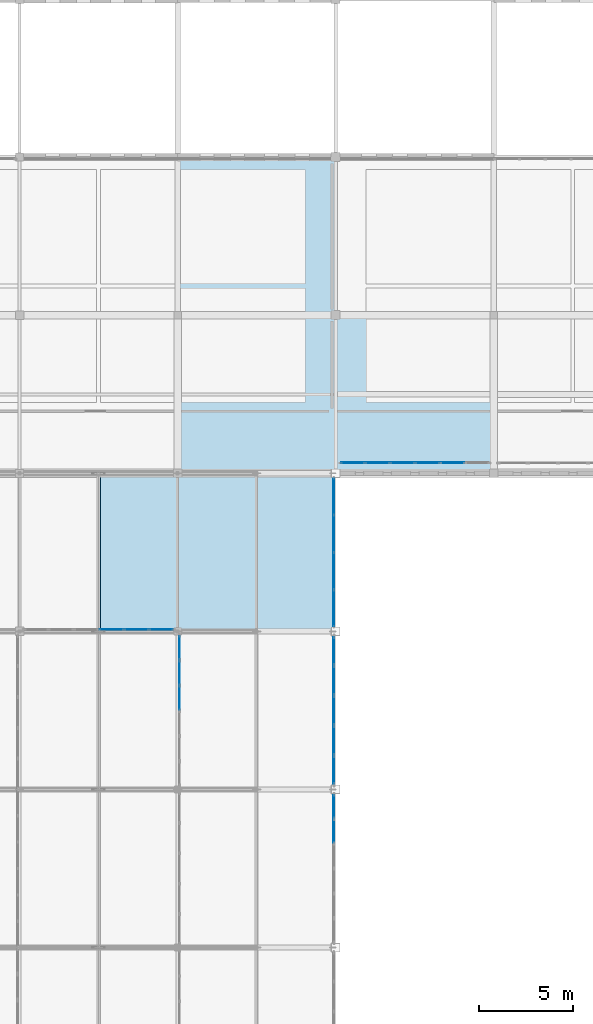
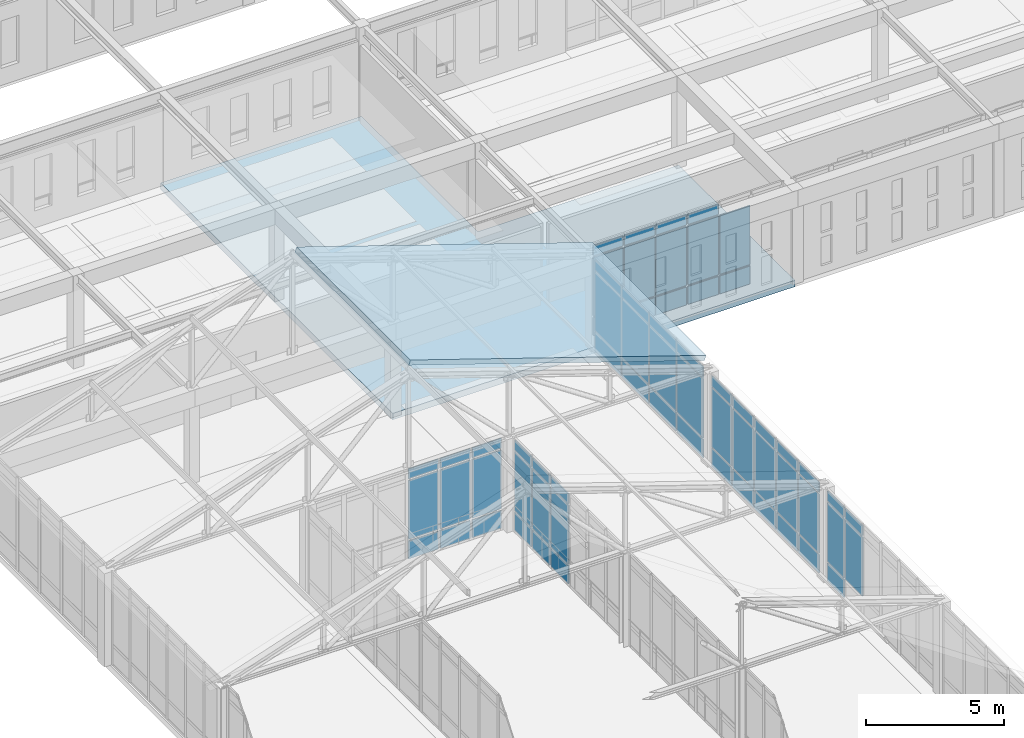
# One storey, part 124 of 192: 64 plates, 2 slabs, 6 elements without a shape of their own.
"""IFC4 building model written with IfcOpenShell, lengths in metres."""

from ifc_helpers import new_model, si_unit, direction, frame, origin, origin_2d, place, context, subcontext, project, spatial, polyline, rectangle, outline, extrude, material, layer, layer_set, type_object, element, aggregate, save


model = new_model("IFC4")

# Units and contexts
model_context = context("Model", 3, precision=1e-05, world=origin(), true_north=direction((0.0, 1.0)))
body_context = subcontext(model_context, "Body", "Model", "MODEL_VIEW")
ifc_project = project(units=[si_unit("LENGTHUNIT", "METRE"), si_unit("AREAUNIT", "SQUARE_METRE"), si_unit("VOLUMEUNIT", "CUBIC_METRE"), si_unit("PLANEANGLEUNIT", "RADIAN"), si_unit("MASSUNIT", "GRAM", prefix="KILO")], contexts=[model_context])

# Site, building, storey
site_placement = place(None, origin())
site = spatial("IfcSite", under=ifc_project, at=site_placement, CompositionType="ELEMENT")
building_placement = place(site_placement, origin())
building = spatial("IfcBuilding", under=site, at=building_placement, Name="Kveldsbrygga Polytechnic", CompositionType="ELEMENT")
storey_placement = place(building_placement, frame((0.0, 0.0, 5.43994140625)))
storey = spatial("IfcBuildingStorey", under=building, at=storey_placement, Name="L01", CompositionType="ELEMENT", Elevation=5.43994140625)

# Curtain wall, plates
ifc_material_1 = material(Name="Anodised aluminium AW-6060", Category="aluminium")
ifc_layer_1 = layer(ifc_material_1, 0.179931640625)
ifc_layer_set_1 = layer_set([ifc_layer_1], Name="Anodised aluminium AW-6060")
curtain_wall_type_1 = type_object("IfcCurtainWallType", Name="CW-LANC-D", PredefinedType="USERDEFINED", material=ifc_layer_set_1)
curtain_wall_1_placement = place(storey_placement, origin())
curtain_wall_1 = element("IfcCurtainWall", 1, at=curtain_wall_1_placement, inside=storey, type_object=curtain_wall_type_1, Name="Curtain Wall CW-L01-Y-09-08", ObjectType="UNITISED CURTAIN WALL", PredefinedType="USERDEFINED")
ifc_material_2 = material(Name="Insulated triple low-E glass", Category="glass")
ifc_layer_2 = layer(ifc_material_2, 0.035888671875)
ifc_layer_set_2 = layer_set([ifc_layer_2], Name="Insulated triple low-E glass")
plate_type_1 = type_object("IfcPlateType", Name="CW-PAN-VIS36", PredefinedType="CURTAIN_PANEL", material=ifc_layer_set_2)
plate_1_placement = place(storey_placement, frame((75.5, 68.23876953125, 0.06005859375), z_axis=(0.0, 0.0, 1.0), x_axis=(0.0, 1.0, 0.0)))
plate_1 = element("IfcPlate", 2, at=plate_1_placement, type_object=plate_type_1, Name="CW-04 panel 1.1", PredefinedType="CURTAIN_PANEL", context=body_context, shape_type="SweptSolid", body=[
    extrude(rectangle(XDim=1.4775390625, YDim=0.035888671875, at=origin_2d()), origin(), (0.0, 0.0, 1.0), 0.81005859375),
])
plate_2_placement = place(storey_placement, frame((75.5, 68.23876953125, 0.93017578125), z_axis=(0.0, 0.0, 1.0), x_axis=(0.0, 1.0, 0.0)))
plate_2 = element("IfcPlate", 3, at=plate_2_placement, type_object=plate_type_1, Name="CW-04 panel 1.2", PredefinedType="CURTAIN_PANEL", context=body_context, shape_type="SweptSolid", body=[
    extrude(rectangle(XDim=1.4775390625, YDim=0.035888671875, at=origin_2d()), origin(), (0.0, 0.0, 1.0), 2.610107421875),
])
plate_3_placement = place(storey_placement, frame((75.5, 68.23876953125, 3.60009765625), z_axis=(0.0, 0.0, 1.0), x_axis=(0.0, 1.0, 0.0)))
plate_3 = element("IfcPlate", 4, at=plate_3_placement, type_object=plate_type_1, Name="CW-04 panel 1.3", PredefinedType="CURTAIN_PANEL", context=body_context, shape_type="SweptSolid", body=[
    extrude(rectangle(XDim=1.4775390625, YDim=0.035888671875, at=origin_2d()), origin(), (0.0, 0.0, 1.0), 0.4599609375),
])
plate_4_placement = place(storey_placement, frame((75.5, 69.81005859375, 0.06005859375), z_axis=(0.0, 0.0, 1.0), x_axis=(0.0, 1.0, 0.0)))
plate_4 = element("IfcPlate", 5, at=plate_4_placement, type_object=plate_type_1, Name="CW-04 panel 2.1", PredefinedType="CURTAIN_PANEL", context=body_context, shape_type="SweptSolid", body=[
    extrude(rectangle(XDim=1.514892578125, YDim=0.035888671875, at=origin_2d()), origin(), (0.0, 0.0, 1.0), 0.81005859375),
])
plate_5_placement = place(storey_placement, frame((75.5, 69.81005859375, 0.93017578125), z_axis=(0.0, 0.0, 1.0), x_axis=(0.0, 1.0, 0.0)))
plate_5 = element("IfcPlate", 6, at=plate_5_placement, type_object=plate_type_1, Name="CW-04 panel 2.2", PredefinedType="CURTAIN_PANEL", context=body_context, shape_type="SweptSolid", body=[
    extrude(rectangle(XDim=1.514892578125, YDim=0.035888671875, at=origin_2d()), origin(), (0.0, 0.0, 1.0), 2.610107421875),
])
plate_6_placement = place(storey_placement, frame((75.5, 69.81005859375, 3.60009765625), z_axis=(0.0, 0.0, 1.0), x_axis=(0.0, 1.0, 0.0)))
plate_6 = element("IfcPlate", 7, at=plate_6_placement, type_object=plate_type_1, Name="CW-04 panel 2.3", PredefinedType="CURTAIN_PANEL", context=body_context, shape_type="SweptSolid", body=[
    extrude(rectangle(XDim=1.514892578125, YDim=0.035888671875, at=origin_2d()), origin(), (0.0, 0.0, 1.0), 0.4599609375),
])
plate_7_placement = place(storey_placement, frame((75.5, 71.39990234375, 0.06005859375), z_axis=(0.0, 0.0, 1.0), x_axis=(0.0, 1.0, 0.0)))
plate_7 = element("IfcPlate", 8, at=plate_7_placement, type_object=plate_type_1, Name="CW-04 panel 3.1", PredefinedType="CURTAIN_PANEL", context=body_context, shape_type="SweptSolid", body=[
    extrude(rectangle(XDim=1.514892578125, YDim=0.035888671875, at=origin_2d()), origin(), (0.0, 0.0, 1.0), 0.81005859375),
])
plate_8_placement = place(storey_placement, frame((75.5, 71.39990234375, 0.93017578125), z_axis=(0.0, 0.0, 1.0), x_axis=(0.0, 1.0, 0.0)))
plate_8 = element("IfcPlate", 9, at=plate_8_placement, type_object=plate_type_1, Name="CW-04 panel 3.2", PredefinedType="CURTAIN_PANEL", context=body_context, shape_type="SweptSolid", body=[
    extrude(rectangle(XDim=1.514892578125, YDim=0.035888671875, at=origin_2d()), origin(), (0.0, 0.0, 1.0), 2.610107421875),
])
plate_9_placement = place(storey_placement, frame((75.5, 71.39990234375, 3.60009765625), z_axis=(0.0, 0.0, 1.0), x_axis=(0.0, 1.0, 0.0)))
plate_9 = element("IfcPlate", 10, at=plate_9_placement, type_object=plate_type_1, Name="CW-04 panel 3.3", PredefinedType="CURTAIN_PANEL", context=body_context, shape_type="SweptSolid", body=[
    extrude(rectangle(XDim=1.514892578125, YDim=0.035888671875, at=origin_2d()), origin(), (0.0, 0.0, 1.0), 0.4599609375),
])
plate_10_placement = place(storey_placement, frame((75.5, 72.989990234375, 0.06005859375), z_axis=(0.0, 0.0, 1.0), x_axis=(0.0, 1.0, 0.0)))
plate_10 = element("IfcPlate", 11, at=plate_10_placement, type_object=plate_type_1, Name="CW-04 panel 4.1", PredefinedType="CURTAIN_PANEL", context=body_context, shape_type="SweptSolid", body=[
    extrude(rectangle(XDim=1.514892578125, YDim=0.035888671875, at=origin_2d()), origin(), (0.0, 0.0, 1.0), 0.81005859375),
])
plate_11_placement = place(storey_placement, frame((75.5, 72.989990234375, 0.93017578125), z_axis=(0.0, 0.0, 1.0), x_axis=(0.0, 1.0, 0.0)))
plate_11 = element("IfcPlate", 12, at=plate_11_placement, type_object=plate_type_1, Name="CW-04 panel 4.2", PredefinedType="CURTAIN_PANEL", context=body_context, shape_type="SweptSolid", body=[
    extrude(rectangle(XDim=1.514892578125, YDim=0.035888671875, at=origin_2d()), origin(), (0.0, 0.0, 1.0), 2.610107421875),
])
plate_12_placement = place(storey_placement, frame((75.5, 72.989990234375, 3.60009765625), z_axis=(0.0, 0.0, 1.0), x_axis=(0.0, 1.0, 0.0)))
plate_12 = element("IfcPlate", 13, at=plate_12_placement, type_object=plate_type_1, Name="CW-04 panel 4.3", PredefinedType="CURTAIN_PANEL", context=body_context, shape_type="SweptSolid", body=[
    extrude(rectangle(XDim=1.514892578125, YDim=0.035888671875, at=origin_2d()), origin(), (0.0, 0.0, 1.0), 0.4599609375),
])
plate_13_placement = place(storey_placement, frame((75.5, 74.561279296875, 0.06005859375), z_axis=(0.0, 0.0, 1.0), x_axis=(0.0, 1.0, 0.0)))
plate_13 = element("IfcPlate", 14, at=plate_13_placement, type_object=plate_type_1, Name="CW-04 panel 5.1", PredefinedType="CURTAIN_PANEL", context=body_context, shape_type="SweptSolid", body=[
    extrude(rectangle(XDim=1.4775390625, YDim=0.035888671875, at=origin_2d()), origin(), (0.0, 0.0, 1.0), 0.81005859375),
])
plate_14_placement = place(storey_placement, frame((75.5, 74.561279296875, 0.93017578125), z_axis=(0.0, 0.0, 1.0), x_axis=(0.0, 1.0, 0.0)))
plate_14 = element("IfcPlate", 15, at=plate_14_placement, type_object=plate_type_1, Name="CW-04 panel 5.2", PredefinedType="CURTAIN_PANEL", context=body_context, shape_type="SweptSolid", body=[
    extrude(rectangle(XDim=1.4775390625, YDim=0.035888671875, at=origin_2d()), origin(), (0.0, 0.0, 1.0), 2.610107421875),
])
plate_15_placement = place(storey_placement, frame((75.5, 74.561279296875, 3.60009765625), z_axis=(0.0, 0.0, 1.0), x_axis=(0.0, 1.0, 0.0)))
plate_15 = element("IfcPlate", 16, at=plate_15_placement, type_object=plate_type_1, Name="CW-04 panel 5.3", PredefinedType="CURTAIN_PANEL", context=body_context, shape_type="SweptSolid", body=[
    extrude(rectangle(XDim=1.4775390625, YDim=0.035888671875, at=origin_2d()), origin(), (0.0, 0.0, 1.0), 0.4599609375),
])
aggregate(curtain_wall_1, [plate_1, plate_2, plate_3, plate_4, plate_5, plate_6, plate_7, plate_8, plate_9, plate_10, plate_11, plate_12, plate_13, plate_14, plate_15])

ifc_layer_3 = layer(ifc_material_1, 0.199951171875)
ifc_layer_set_3 = layer_set([ifc_layer_3], Name="Anodised aluminium AW-6060")
curtain_wall_type_2 = type_object("IfcCurtainWallType", Name="CW-LANC-E", PredefinedType="USERDEFINED", material=ifc_layer_set_3)
curtain_wall_2_placement = place(storey_placement, origin())
curtain_wall_2 = element("IfcCurtainWall", 17, at=curtain_wall_2_placement, inside=storey, type_object=curtain_wall_type_2, Name="Curtain Wall CW-L01-Y-09-09", ObjectType="UNITISED CURTAIN WALL", PredefinedType="USERDEFINED")
ifc_layer_4 = layer(ifc_material_2, 0.0419921875)
ifc_layer_set_4 = layer_set([ifc_layer_4], Name="Insulated triple low-E glass")
plate_type_2 = type_object("IfcPlateType", Name="CW-PAN-VIS42", PredefinedType="CURTAIN_PANEL", material=ifc_layer_set_4)
plate_16_placement = place(storey_placement, frame((75.5, 76.833740234375, 0.06005859375), z_axis=(0.0, 0.0, 1.0), x_axis=(0.0, 1.0, 0.0)))
plate_16 = element("IfcPlate", 18, at=plate_16_placement, type_object=plate_type_2, Name="CW-05 panel 1.1", PredefinedType="CURTAIN_PANEL", context=body_context, shape_type="SweptSolid", body=[
    extrude(rectangle(XDim=1.8974609375, YDim=0.0419921875, at=origin_2d()), origin(), (0.0, 0.0, 1.0), 0.81005859375),
])
plate_17_placement = place(storey_placement, frame((75.5, 76.833740234375, 0.93017578125), z_axis=(0.0, 0.0, 1.0), x_axis=(0.0, 1.0, 0.0)))
plate_17 = element("IfcPlate", 19, at=plate_17_placement, type_object=plate_type_2, Name="CW-05 panel 1.2", PredefinedType="CURTAIN_PANEL", context=body_context, shape_type="SweptSolid", body=[
    extrude(rectangle(XDim=1.8974609375, YDim=0.0419921875, at=origin_2d()), origin(), (0.0, 0.0, 1.0), 2.610107421875),
])
plate_18_placement = place(storey_placement, frame((75.5, 76.833740234375, 3.60009765625), z_axis=(0.0, 0.0, 1.0), x_axis=(0.0, 1.0, 0.0)))
plate_18 = element("IfcPlate", 20, at=plate_18_placement, type_object=plate_type_2, Name="CW-05 panel 1.3", PredefinedType="CURTAIN_PANEL", context=body_context, shape_type="SweptSolid", body=[
    extrude(rectangle(XDim=1.8974609375, YDim=0.0419921875, at=origin_2d()), origin(), (0.0, 0.0, 1.0), 0.4599609375),
])
plate_19_placement = place(storey_placement, frame((75.5, 78.80615234375, 0.06005859375), z_axis=(0.0, 0.0, 1.0), x_axis=(0.0, 1.0, 0.0)))
plate_19 = element("IfcPlate", 21, at=plate_19_placement, type_object=plate_type_2, Name="CW-05 panel 2.1", PredefinedType="CURTAIN_PANEL", context=body_context, shape_type="SweptSolid", body=[
    extrude(rectangle(XDim=1.927490234375, YDim=0.0419921875, at=origin_2d()), origin(), (0.0, 0.0, 1.0), 0.81005859375),
])
plate_20_placement = place(storey_placement, frame((75.5, 78.80615234375, 0.93017578125), z_axis=(0.0, 0.0, 1.0), x_axis=(0.0, 1.0, 0.0)))
plate_20 = element("IfcPlate", 22, at=plate_20_placement, type_object=plate_type_2, Name="CW-05 panel 2.2", PredefinedType="CURTAIN_PANEL", context=body_context, shape_type="SweptSolid", body=[
    extrude(rectangle(XDim=1.927490234375, YDim=0.0419921875, at=origin_2d()), origin(), (0.0, 0.0, 1.0), 2.610107421875),
])
plate_21_placement = place(storey_placement, frame((75.5, 78.80615234375, 3.60009765625), z_axis=(0.0, 0.0, 1.0), x_axis=(0.0, 1.0, 0.0)))
plate_21 = element("IfcPlate", 23, at=plate_21_placement, type_object=plate_type_2, Name="CW-05 panel 2.3", PredefinedType="CURTAIN_PANEL", context=body_context, shape_type="SweptSolid", body=[
    extrude(rectangle(XDim=1.927490234375, YDim=0.0419921875, at=origin_2d()), origin(), (0.0, 0.0, 1.0), 0.4599609375),
])
plate_22_placement = place(storey_placement, frame((75.5, 80.793701171875, 0.06005859375), z_axis=(0.0, 0.0, 1.0), x_axis=(0.0, 1.0, 0.0)))
plate_22 = element("IfcPlate", 24, at=plate_22_placement, type_object=plate_type_2, Name="CW-05 panel 3.1", PredefinedType="CURTAIN_PANEL", context=body_context, shape_type="SweptSolid", body=[
    extrude(rectangle(XDim=1.927490234375, YDim=0.0419921875, at=origin_2d()), origin(), (0.0, 0.0, 1.0), 0.81005859375),
])
plate_23_placement = place(storey_placement, frame((75.5, 80.793701171875, 0.93017578125), z_axis=(0.0, 0.0, 1.0), x_axis=(0.0, 1.0, 0.0)))
plate_23 = element("IfcPlate", 25, at=plate_23_placement, type_object=plate_type_2, Name="CW-05 panel 3.2", PredefinedType="CURTAIN_PANEL", context=body_context, shape_type="SweptSolid", body=[
    extrude(rectangle(XDim=1.927490234375, YDim=0.0419921875, at=origin_2d()), origin(), (0.0, 0.0, 1.0), 2.610107421875),
])
plate_24_placement = place(storey_placement, frame((75.5, 80.793701171875, 3.60009765625), z_axis=(0.0, 0.0, 1.0), x_axis=(0.0, 1.0, 0.0)))
plate_24 = element("IfcPlate", 26, at=plate_24_placement, type_object=plate_type_2, Name="CW-05 panel 3.3", PredefinedType="CURTAIN_PANEL", context=body_context, shape_type="SweptSolid", body=[
    extrude(rectangle(XDim=1.927490234375, YDim=0.0419921875, at=origin_2d()), origin(), (0.0, 0.0, 1.0), 0.4599609375),
])
plate_25_placement = place(storey_placement, frame((75.5, 82.766357421875, 0.06005859375), z_axis=(0.0, 0.0, 1.0), x_axis=(0.0, 1.0, 0.0)))
plate_25 = element("IfcPlate", 27, at=plate_25_placement, type_object=plate_type_2, Name="CW-05 panel 4.1", PredefinedType="CURTAIN_PANEL", context=body_context, shape_type="SweptSolid", body=[
    extrude(rectangle(XDim=1.8974609375, YDim=0.0419921875, at=origin_2d()), origin(), (0.0, 0.0, 1.0), 0.81005859375),
])
plate_26_placement = place(storey_placement, frame((75.5, 82.766357421875, 0.93017578125), z_axis=(0.0, 0.0, 1.0), x_axis=(0.0, 1.0, 0.0)))
plate_26 = element("IfcPlate", 28, at=plate_26_placement, type_object=plate_type_2, Name="CW-05 panel 4.2", PredefinedType="CURTAIN_PANEL", context=body_context, shape_type="SweptSolid", body=[
    extrude(rectangle(XDim=1.8974609375, YDim=0.0419921875, at=origin_2d()), origin(), (0.0, 0.0, 1.0), 2.610107421875),
])
plate_27_placement = place(storey_placement, frame((75.5, 82.766357421875, 3.60009765625), z_axis=(0.0, 0.0, 1.0), x_axis=(0.0, 1.0, 0.0)))
plate_27 = element("IfcPlate", 29, at=plate_27_placement, type_object=plate_type_2, Name="CW-05 panel 4.3", PredefinedType="CURTAIN_PANEL", context=body_context, shape_type="SweptSolid", body=[
    extrude(rectangle(XDim=1.8974609375, YDim=0.0419921875, at=origin_2d()), origin(), (0.0, 0.0, 1.0), 0.4599609375),
])
aggregate(curtain_wall_2, [plate_16, plate_17, plate_18, plate_19, plate_20, plate_21, plate_22, plate_23, plate_24, plate_25, plate_26, plate_27])

ifc_layer_5 = layer(ifc_material_1, 0.159912109375)
ifc_layer_set_5 = layer_set([ifc_layer_5], Name="Anodised aluminium AW-6060")
curtain_wall_type_3 = type_object("IfcCurtainWallType", Name="CW-CLER-C", PredefinedType="USERDEFINED", material=ifc_layer_set_5)
curtain_wall_3_placement = place(storey_placement, origin())
curtain_wall_3 = element("IfcCurtainWall", 30, at=curtain_wall_3_placement, inside=storey, type_object=curtain_wall_type_3, Name="Curtain Wall CW-L01-X-07-09", ObjectType="STICK CURTAIN WALL", PredefinedType="USERDEFINED")
ifc_layer_6 = layer(ifc_material_2, 0.048095703125)
ifc_layer_set_6 = layer_set([ifc_layer_6], Name="Insulated triple low-E glass")
plate_type_3 = type_object("IfcPlateType", Name="CW-PAN-VIS48", PredefinedType="CURTAIN_PANEL", material=ifc_layer_set_6)
plate_28_placement = place(storey_placement, frame((63.6796875, 75.699951171875, 0.074951171875), z_axis=(0.0, 0.0, 1.0), x_axis=(1.0, 0.0, 0.0)))
plate_28 = element("IfcPlate", 31, at=plate_28_placement, type_object=plate_type_3, Name="CW-03 panel 4.1", PredefinedType="CURTAIN_PANEL", context=body_context, shape_type="SweptSolid", body=[
    extrude(rectangle(XDim=1.25927734375, YDim=0.048095703125, at=origin_2d()), origin(), (0.0, 0.0, 1.0), 0.78759765625),
])
plate_29_placement = place(storey_placement, frame((63.6796875, 75.699951171875, 0.9375), z_axis=(0.0, 0.0, 1.0), x_axis=(1.0, 0.0, 0.0)))
plate_29 = element("IfcPlate", 32, at=plate_29_placement, type_object=plate_type_3, Name="CW-03 panel 4.2", PredefinedType="CURTAIN_PANEL", context=body_context, shape_type="SweptSolid", body=[
    extrude(rectangle(XDim=1.25927734375, YDim=0.048095703125, at=origin_2d()), origin(), (0.0, 0.0, 1.0), 2.594970703125),
])
plate_30_placement = place(storey_placement, frame((63.6796875, 75.699951171875, 3.607666015625), z_axis=(0.0, 0.0, 1.0), x_axis=(1.0, 0.0, 0.0)))
plate_30 = element("IfcPlate", 33, at=plate_30_placement, type_object=plate_type_3, Name="CW-03 panel 4.3", PredefinedType="CURTAIN_PANEL", context=body_context, shape_type="SweptSolid", body=[
    extrude(rectangle(XDim=1.25927734375, YDim=0.048095703125, at=origin_2d()), origin(), (0.0, 0.0, 1.0), 0.4375),
])
plate_31_placement = place(storey_placement, frame((65.013671875, 75.699951171875, 0.074951171875), z_axis=(0.0, 0.0, 1.0), x_axis=(1.0, 0.0, 0.0)))
plate_31 = element("IfcPlate", 34, at=plate_31_placement, type_object=plate_type_3, Name="CW-03 panel 5.1", PredefinedType="CURTAIN_PANEL", context=body_context, shape_type="SweptSolid", body=[
    extrude(rectangle(XDim=1.25927734375, YDim=0.048095703125, at=origin_2d()), origin(), (0.0, 0.0, 1.0), 0.78759765625),
])
plate_32_placement = place(storey_placement, frame((65.013671875, 75.699951171875, 0.9375), z_axis=(0.0, 0.0, 1.0), x_axis=(1.0, 0.0, 0.0)))
plate_32 = element("IfcPlate", 35, at=plate_32_placement, type_object=plate_type_3, Name="CW-03 panel 5.2", PredefinedType="CURTAIN_PANEL", context=body_context, shape_type="SweptSolid", body=[
    extrude(rectangle(XDim=1.25927734375, YDim=0.048095703125, at=origin_2d()), origin(), (0.0, 0.0, 1.0), 2.594970703125),
])
plate_33_placement = place(storey_placement, frame((65.013671875, 75.699951171875, 3.607666015625), z_axis=(0.0, 0.0, 1.0), x_axis=(1.0, 0.0, 0.0)))
plate_33 = element("IfcPlate", 36, at=plate_33_placement, type_object=plate_type_3, Name="CW-03 panel 5.3", PredefinedType="CURTAIN_PANEL", context=body_context, shape_type="SweptSolid", body=[
    extrude(rectangle(XDim=1.25927734375, YDim=0.048095703125, at=origin_2d()), origin(), (0.0, 0.0, 1.0), 0.4375),
])
plate_34_placement = place(storey_placement, frame((66.3291015625, 75.699951171875, 0.074951171875), z_axis=(0.0, 0.0, 1.0), x_axis=(1.0, 0.0, 0.0)))
plate_34 = element("IfcPlate", 37, at=plate_34_placement, type_object=plate_type_3, Name="CW-03 panel 6.1", PredefinedType="CURTAIN_PANEL", context=body_context, shape_type="SweptSolid", body=[
    extrude(rectangle(XDim=1.2216796875, YDim=0.048095703125, at=origin_2d()), origin(), (0.0, 0.0, 1.0), 0.78759765625),
])
plate_35_placement = place(storey_placement, frame((66.3291015625, 75.699951171875, 0.9375), z_axis=(0.0, 0.0, 1.0), x_axis=(1.0, 0.0, 0.0)))
plate_35 = element("IfcPlate", 38, at=plate_35_placement, type_object=plate_type_3, Name="CW-03 panel 6.2", PredefinedType="CURTAIN_PANEL", context=body_context, shape_type="SweptSolid", body=[
    extrude(rectangle(XDim=1.2216796875, YDim=0.048095703125, at=origin_2d()), origin(), (0.0, 0.0, 1.0), 2.594970703125),
])
plate_36_placement = place(storey_placement, frame((66.3291015625, 75.699951171875, 3.607666015625), z_axis=(0.0, 0.0, 1.0), x_axis=(1.0, 0.0, 0.0)))
plate_36 = element("IfcPlate", 39, at=plate_36_placement, type_object=plate_type_3, Name="CW-03 panel 6.3", PredefinedType="CURTAIN_PANEL", context=body_context, shape_type="SweptSolid", body=[
    extrude(rectangle(XDim=1.2216796875, YDim=0.048095703125, at=origin_2d()), origin(), (0.0, 0.0, 1.0), 0.4375),
])
aggregate(curtain_wall_3, [plate_28, plate_29, plate_30, plate_31, plate_32, plate_33, plate_34, plate_35, plate_36])

curtain_wall_4_placement = place(storey_placement, origin())
curtain_wall_4 = element("IfcCurtainWall", 40, at=curtain_wall_4_placement, inside=storey, type_object=curtain_wall_type_3, Name="Curtain Wall CW-L01-Y-09-07", ObjectType="STICK CURTAIN WALL", PredefinedType="USERDEFINED")
plate_37_placement = place(storey_placement, frame((75.5, 64.987548828125, 0.9375), z_axis=(0.0, 0.0, 1.0), x_axis=(0.0, 1.0, 0.0)))
plate_37 = element("IfcPlate", 41, at=plate_37_placement, type_object=plate_type_3, Name="CW-03 panel 5.2", PredefinedType="CURTAIN_PANEL", context=body_context, shape_type="SweptSolid", body=[
    extrude(rectangle(XDim=1.25, YDim=0.048095703125, at=origin_2d()), origin(), (0.0, 0.0, 1.0), 2.594970703125),
])
plate_38_placement = place(storey_placement, frame((75.5, 64.987548828125, 3.607666015625), z_axis=(0.0, 0.0, 1.0), x_axis=(0.0, 1.0, 0.0)))
plate_38 = element("IfcPlate", 42, at=plate_38_placement, type_object=plate_type_3, Name="CW-03 panel 5.3", PredefinedType="CURTAIN_PANEL", context=body_context, shape_type="SweptSolid", body=[
    extrude(rectangle(XDim=1.25, YDim=0.048095703125, at=origin_2d()), origin(), (0.0, 0.0, 1.0), 0.4375),
])
plate_39_placement = place(storey_placement, frame((75.5, 66.293701171875, 0.074951171875), z_axis=(0.0, 0.0, 1.0), x_axis=(0.0, 1.0, 0.0)))
plate_39 = element("IfcPlate", 43, at=plate_39_placement, type_object=plate_type_3, Name="CW-03 panel 6.1", PredefinedType="CURTAIN_PANEL", context=body_context, shape_type="SweptSolid", body=[
    extrude(rectangle(XDim=1.21240234375, YDim=0.048095703125, at=origin_2d()), origin(), (0.0, 0.0, 1.0), 0.78759765625),
])
plate_40_placement = place(storey_placement, frame((75.5, 66.293701171875, 0.9375), z_axis=(0.0, 0.0, 1.0), x_axis=(0.0, 1.0, 0.0)))
plate_40 = element("IfcPlate", 44, at=plate_40_placement, type_object=plate_type_3, Name="CW-03 panel 6.2", PredefinedType="CURTAIN_PANEL", context=body_context, shape_type="SweptSolid", body=[
    extrude(rectangle(XDim=1.21240234375, YDim=0.048095703125, at=origin_2d()), origin(), (0.0, 0.0, 1.0), 2.594970703125),
])
plate_41_placement = place(storey_placement, frame((75.5, 66.293701171875, 3.607666015625), z_axis=(0.0, 0.0, 1.0), x_axis=(0.0, 1.0, 0.0)))
plate_41 = element("IfcPlate", 45, at=plate_41_placement, type_object=plate_type_3, Name="CW-03 panel 6.3", PredefinedType="CURTAIN_PANEL", context=body_context, shape_type="SweptSolid", body=[
    extrude(rectangle(XDim=1.21240234375, YDim=0.048095703125, at=origin_2d()), origin(), (0.0, 0.0, 1.0), 0.4375),
])
aggregate(curtain_wall_4, [plate_37, plate_38, plate_39, plate_40, plate_41])

curtain_wall_5_placement = place(storey_placement, origin())
curtain_wall_5 = element("IfcCurtainWall", 46, at=curtain_wall_5_placement, inside=storey, type_object=curtain_wall_type_3, Name="Curtain Wall CW-L01-Y-08-08", ObjectType="STICK CURTAIN WALL", PredefinedType="USERDEFINED")
plate_42_placement = place(storey_placement, frame((67.300048828125, 72.056640625, 0.074951171875), z_axis=(0.0, 0.0, 1.0), x_axis=(0.0, 1.0, 0.0)))
plate_42 = element("IfcPlate", 47, at=plate_42_placement, type_object=plate_type_3, Name="CW-03 panel 4.1", PredefinedType="CURTAIN_PANEL", context=body_context, shape_type="SweptSolid", body=[
    extrude(rectangle(XDim=1.268310546875, YDim=0.048095703125, at=origin_2d()), origin(), (0.0, 0.0, 1.0), 0.78759765625),
])
plate_43_placement = place(storey_placement, frame((67.300048828125, 72.056640625, 0.9375), z_axis=(0.0, 0.0, 1.0), x_axis=(0.0, 1.0, 0.0)))
plate_43 = element("IfcPlate", 48, at=plate_43_placement, type_object=plate_type_3, Name="CW-03 panel 4.2", PredefinedType="CURTAIN_PANEL", context=body_context, shape_type="SweptSolid", body=[
    extrude(rectangle(XDim=1.268310546875, YDim=0.048095703125, at=origin_2d()), origin(), (0.0, 0.0, 1.0), 2.594970703125),
])
plate_44_placement = place(storey_placement, frame((67.300048828125, 72.056640625, 3.607666015625), z_axis=(0.0, 0.0, 1.0), x_axis=(0.0, 1.0, 0.0)))
plate_44 = element("IfcPlate", 49, at=plate_44_placement, type_object=plate_type_3, Name="CW-03 panel 4.3", PredefinedType="CURTAIN_PANEL", context=body_context, shape_type="SweptSolid", body=[
    extrude(rectangle(XDim=1.268310546875, YDim=0.048095703125, at=origin_2d()), origin(), (0.0, 0.0, 1.0), 0.4375),
])
plate_45_placement = place(storey_placement, frame((67.300048828125, 73.39990234375, 0.074951171875), z_axis=(0.0, 0.0, 1.0), x_axis=(0.0, 1.0, 0.0)))
plate_45 = element("IfcPlate", 50, at=plate_45_placement, type_object=plate_type_3, Name="CW-03 panel 5.1", PredefinedType="CURTAIN_PANEL", context=body_context, shape_type="SweptSolid", body=[
    extrude(rectangle(XDim=1.268310546875, YDim=0.048095703125, at=origin_2d()), origin(), (0.0, 0.0, 1.0), 0.78759765625),
])
plate_46_placement = place(storey_placement, frame((67.300048828125, 73.39990234375, 0.9375), z_axis=(0.0, 0.0, 1.0), x_axis=(0.0, 1.0, 0.0)))
plate_46 = element("IfcPlate", 51, at=plate_46_placement, type_object=plate_type_3, Name="CW-03 panel 5.2", PredefinedType="CURTAIN_PANEL", context=body_context, shape_type="SweptSolid", body=[
    extrude(rectangle(XDim=1.268310546875, YDim=0.048095703125, at=origin_2d()), origin(), (0.0, 0.0, 1.0), 2.594970703125),
])
plate_47_placement = place(storey_placement, frame((67.300048828125, 73.39990234375, 3.607666015625), z_axis=(0.0, 0.0, 1.0), x_axis=(0.0, 1.0, 0.0)))
plate_47 = element("IfcPlate", 52, at=plate_47_placement, type_object=plate_type_3, Name="CW-03 panel 5.3", PredefinedType="CURTAIN_PANEL", context=body_context, shape_type="SweptSolid", body=[
    extrude(rectangle(XDim=1.268310546875, YDim=0.048095703125, at=origin_2d()), origin(), (0.0, 0.0, 1.0), 0.4375),
])
plate_48_placement = place(storey_placement, frame((67.300048828125, 74.724609375, 0.074951171875), z_axis=(0.0, 0.0, 1.0), x_axis=(0.0, 1.0, 0.0)))
plate_48 = element("IfcPlate", 53, at=plate_48_placement, type_object=plate_type_3, Name="CW-03 panel 6.1", PredefinedType="CURTAIN_PANEL", context=body_context, shape_type="SweptSolid", body=[
    extrude(rectangle(XDim=1.230712890625, YDim=0.048095703125, at=origin_2d()), origin(), (0.0, 0.0, 1.0), 0.78759765625),
])
plate_49_placement = place(storey_placement, frame((67.300048828125, 74.724609375, 0.9375), z_axis=(0.0, 0.0, 1.0), x_axis=(0.0, 1.0, 0.0)))
plate_49 = element("IfcPlate", 54, at=plate_49_placement, type_object=plate_type_3, Name="CW-03 panel 6.2", PredefinedType="CURTAIN_PANEL", context=body_context, shape_type="SweptSolid", body=[
    extrude(rectangle(XDim=1.230712890625, YDim=0.048095703125, at=origin_2d()), origin(), (0.0, 0.0, 1.0), 2.594970703125),
])
plate_50_placement = place(storey_placement, frame((67.300048828125, 74.724609375, 3.607666015625), z_axis=(0.0, 0.0, 1.0), x_axis=(0.0, 1.0, 0.0)))
plate_50 = element("IfcPlate", 55, at=plate_50_placement, type_object=plate_type_3, Name="CW-03 panel 6.3", PredefinedType="CURTAIN_PANEL", context=body_context, shape_type="SweptSolid", body=[
    extrude(rectangle(XDim=1.230712890625, YDim=0.048095703125, at=origin_2d()), origin(), (0.0, 0.0, 1.0), 0.4375),
])
aggregate(curtain_wall_5, [plate_42, plate_43, plate_44, plate_45, plate_46, plate_47, plate_48, plate_49, plate_50])

ifc_layer_7 = layer(ifc_material_1, 0.169921875)
ifc_layer_set_7 = layer_set([ifc_layer_7], Name="Anodised aluminium AW-6060")
curtain_wall_type_4 = type_object("IfcCurtainWallType", Name="CW-FOYR-F", PredefinedType="USERDEFINED", material=ifc_layer_set_7)
curtain_wall_6_placement = place(storey_placement, origin())
curtain_wall_6 = element("IfcCurtainWall", 56, at=curtain_wall_6_placement, inside=storey, type_object=curtain_wall_type_4, Name="Curtain Wall CW-L01-X-09-10", ObjectType="STICK CURTAIN WALL", PredefinedType="USERDEFINED")
plate_51_placement = place(storey_placement, frame((76.503662109375, 84.550048828125, 0.074951171875), z_axis=(0.0, 0.0, 1.0), x_axis=(1.0, 0.0, 0.0)))
plate_51 = element("IfcPlate", 57, at=plate_51_placement, type_object=plate_type_3, Name="CW-06 panel 1.1", PredefinedType="CURTAIN_PANEL", context=body_context, shape_type="SweptSolid", body=[
    extrude(rectangle(XDim=1.237548828125, YDim=0.048095703125, at=origin_2d()), origin(), (0.0, 0.0, 1.0), 0.78759765625),
])
plate_52_placement = place(storey_placement, frame((76.503662109375, 84.550048828125, 0.9375), z_axis=(0.0, 0.0, 1.0), x_axis=(1.0, 0.0, 0.0)))
plate_52 = element("IfcPlate", 58, at=plate_52_placement, type_object=plate_type_3, Name="CW-06 panel 1.2", PredefinedType="CURTAIN_PANEL", context=body_context, shape_type="SweptSolid", body=[
    extrude(rectangle(XDim=1.237548828125, YDim=0.048095703125, at=origin_2d()), origin(), (0.0, 0.0, 1.0), 2.594970703125),
])
plate_53_placement = place(storey_placement, frame((76.503662109375, 84.550048828125, 3.607666015625), z_axis=(0.0, 0.0, 1.0), x_axis=(1.0, 0.0, 0.0)))
plate_53 = element("IfcPlate", 59, at=plate_53_placement, type_object=plate_type_3, Name="CW-06 panel 1.3", PredefinedType="CURTAIN_PANEL", context=body_context, shape_type="SweptSolid", body=[
    extrude(rectangle(XDim=1.237548828125, YDim=0.048095703125, at=origin_2d()), origin(), (0.0, 0.0, 1.0), 0.4375),
])
plate_54_placement = place(storey_placement, frame((77.816162109375, 84.550048828125, 0.074951171875), z_axis=(0.0, 0.0, 1.0), x_axis=(1.0, 0.0, 0.0)))
plate_54 = element("IfcPlate", 60, at=plate_54_placement, type_object=plate_type_3, Name="CW-06 panel 2.1", PredefinedType="CURTAIN_PANEL", context=body_context, shape_type="SweptSolid", body=[
    extrude(rectangle(XDim=1.267578125, YDim=0.048095703125, at=origin_2d()), origin(), (0.0, 0.0, 1.0), 0.78759765625),
])
plate_55_placement = place(storey_placement, frame((77.816162109375, 84.550048828125, 0.9375), z_axis=(0.0, 0.0, 1.0), x_axis=(1.0, 0.0, 0.0)))
plate_55 = element("IfcPlate", 61, at=plate_55_placement, type_object=plate_type_3, Name="CW-06 panel 2.2", PredefinedType="CURTAIN_PANEL", context=body_context, shape_type="SweptSolid", body=[
    extrude(rectangle(XDim=1.267578125, YDim=0.048095703125, at=origin_2d()), origin(), (0.0, 0.0, 1.0), 2.594970703125),
])
plate_56_placement = place(storey_placement, frame((77.816162109375, 84.550048828125, 3.607666015625), z_axis=(0.0, 0.0, 1.0), x_axis=(1.0, 0.0, 0.0)))
plate_56 = element("IfcPlate", 62, at=plate_56_placement, type_object=plate_type_3, Name="CW-06 panel 2.3", PredefinedType="CURTAIN_PANEL", context=body_context, shape_type="SweptSolid", body=[
    extrude(rectangle(XDim=1.267578125, YDim=0.048095703125, at=origin_2d()), origin(), (0.0, 0.0, 1.0), 0.4375),
])
plate_57_placement = place(storey_placement, frame((79.143798828125, 84.550048828125, 0.074951171875), z_axis=(0.0, 0.0, 1.0), x_axis=(1.0, 0.0, 0.0)))
plate_57 = element("IfcPlate", 63, at=plate_57_placement, type_object=plate_type_3, Name="CW-06 panel 3.1", PredefinedType="CURTAIN_PANEL", context=body_context, shape_type="SweptSolid", body=[
    extrude(rectangle(XDim=1.267578125, YDim=0.048095703125, at=origin_2d()), origin(), (0.0, 0.0, 1.0), 0.78759765625),
])
plate_58_placement = place(storey_placement, frame((79.143798828125, 84.550048828125, 0.9375), z_axis=(0.0, 0.0, 1.0), x_axis=(1.0, 0.0, 0.0)))
plate_58 = element("IfcPlate", 64, at=plate_58_placement, type_object=plate_type_3, Name="CW-06 panel 3.2", PredefinedType="CURTAIN_PANEL", context=body_context, shape_type="SweptSolid", body=[
    extrude(rectangle(XDim=1.267578125, YDim=0.048095703125, at=origin_2d()), origin(), (0.0, 0.0, 1.0), 2.594970703125),
])
plate_59_placement = place(storey_placement, frame((79.143798828125, 84.550048828125, 3.607666015625), z_axis=(0.0, 0.0, 1.0), x_axis=(1.0, 0.0, 0.0)))
plate_59 = element("IfcPlate", 65, at=plate_59_placement, type_object=plate_type_3, Name="CW-06 panel 3.3", PredefinedType="CURTAIN_PANEL", context=body_context, shape_type="SweptSolid", body=[
    extrude(rectangle(XDim=1.267578125, YDim=0.048095703125, at=origin_2d()), origin(), (0.0, 0.0, 1.0), 0.4375),
])
plate_60_placement = place(storey_placement, frame((80.47119140625, 84.550048828125, 0.074951171875), z_axis=(0.0, 0.0, 1.0), x_axis=(1.0, 0.0, 0.0)))
plate_60 = element("IfcPlate", 66, at=plate_60_placement, type_object=plate_type_3, Name="CW-06 panel 4.1", PredefinedType="CURTAIN_PANEL", context=body_context, shape_type="SweptSolid", body=[
    extrude(rectangle(XDim=1.267578125, YDim=0.048095703125, at=origin_2d()), origin(), (0.0, 0.0, 1.0), 0.78759765625),
])
plate_61_placement = place(storey_placement, frame((80.47119140625, 84.550048828125, 0.9375), z_axis=(0.0, 0.0, 1.0), x_axis=(1.0, 0.0, 0.0)))
plate_61 = element("IfcPlate", 67, at=plate_61_placement, type_object=plate_type_3, Name="CW-06 panel 4.2", PredefinedType="CURTAIN_PANEL", context=body_context, shape_type="SweptSolid", body=[
    extrude(rectangle(XDim=1.267578125, YDim=0.048095703125, at=origin_2d()), origin(), (0.0, 0.0, 1.0), 2.594970703125),
])
plate_62_placement = place(storey_placement, frame((80.47119140625, 84.550048828125, 3.607666015625), z_axis=(0.0, 0.0, 1.0), x_axis=(1.0, 0.0, 0.0)))
plate_62 = element("IfcPlate", 68, at=plate_62_placement, type_object=plate_type_3, Name="CW-06 panel 4.3", PredefinedType="CURTAIN_PANEL", context=body_context, shape_type="SweptSolid", body=[
    extrude(rectangle(XDim=1.267578125, YDim=0.048095703125, at=origin_2d()), origin(), (0.0, 0.0, 1.0), 0.4375),
])
plate_63_placement = place(storey_placement, frame((81.798828125, 84.550048828125, 0.074951171875), z_axis=(0.0, 0.0, 1.0), x_axis=(1.0, 0.0, 0.0)))
plate_63 = element("IfcPlate", 69, at=plate_63_placement, type_object=plate_type_3, Name="CW-06 panel 5.1", PredefinedType="CURTAIN_PANEL", context=body_context, shape_type="SweptSolid", body=[
    extrude(rectangle(XDim=1.267578125, YDim=0.048095703125, at=origin_2d()), origin(), (0.0, 0.0, 1.0), 0.78759765625),
])
plate_64_placement = place(storey_placement, frame((81.798828125, 84.550048828125, 0.9375), z_axis=(0.0, 0.0, 1.0), x_axis=(1.0, 0.0, 0.0)))
plate_64 = element("IfcPlate", 70, at=plate_64_placement, type_object=plate_type_3, Name="CW-06 panel 5.2", PredefinedType="CURTAIN_PANEL", context=body_context, shape_type="SweptSolid", body=[
    extrude(rectangle(XDim=1.267578125, YDim=0.048095703125, at=origin_2d()), origin(), (0.0, 0.0, 1.0), 2.594970703125),
])
aggregate(curtain_wall_6, [plate_51, plate_52, plate_53, plate_54, plate_55, plate_56, plate_57, plate_58, plate_59, plate_60, plate_61, plate_62, plate_63, plate_64])

# Slabs
ifc_material_3 = material(Name="Concrete C35/45", Category="concrete")
ifc_layer_8 = layer(ifc_material_3, 0.219970703125)
ifc_layer_set_8 = layer_set([ifc_layer_8], Name="Concrete C35/45")
slab_type_1 = type_object("IfcSlabType", Name="SLB-ROOF-220", PredefinedType="ROOF", material=ifc_layer_set_8)
slab_1_placement = place(storey_placement, frame((63.089599609375, 75.60009765625, 8.896240234375), z_axis=(0.31622213995, 0.0, 0.948685173388), x_axis=(0.948685173388, 0.0, -0.31622213995)))
element("IfcSlab", 71, at=slab_1_placement, inside=storey, type_object=slab_type_1, Name="Pitched Roof Slab V5C-RSLB-9-2", PredefinedType="ROOF", context=body_context, shape_type="SweptSolid", body=[
    extrude(outline(polyline([(0.0, 0.0), (13.018377585447984, 0.0), (13.018377585447984, 8.239990234375), (0.0, 8.239990234375), (0.0, 0.0)])), origin(), (0.0, 0.0, -1.0), 0.219970703125),
])
ifc_layer_9 = layer(ifc_material_3, 0.280029296875)
ifc_layer_set_9 = layer_set([ifc_layer_9], Name="Concrete C35/45")
slab_type_2 = type_object("IfcSlabType", Name="SLB-STD-280", PredefinedType="FLOOR", material=ifc_layer_set_9)
slab_2_placement = place(storey_placement, frame((0.0, 0.0, -0.280029296875)))
element("IfcSlab", 72, at=slab_2_placement, inside=storey, type_object=slab_type_2, Name="Slab SLB-L01-V2-L02-1", PredefinedType="FLOOR", context=body_context, shape_type="SweptSolid", body=[
    extrude(outline(polyline([(67.199951171875, 84.0), (67.199951171875, 92.39990234375), (67.199951171875, 100.800048828125), (75.60009765625, 100.800048828125), (75.60009765625, 92.39990234375), (84.0, 92.39990234375), (84.0, 84.0), (75.60009765625, 84.0), (67.199951171875, 84.0)])), origin(), (0.0, 0.0, 1.0), 0.280029296875),
])

save(model, "model.ifc")
